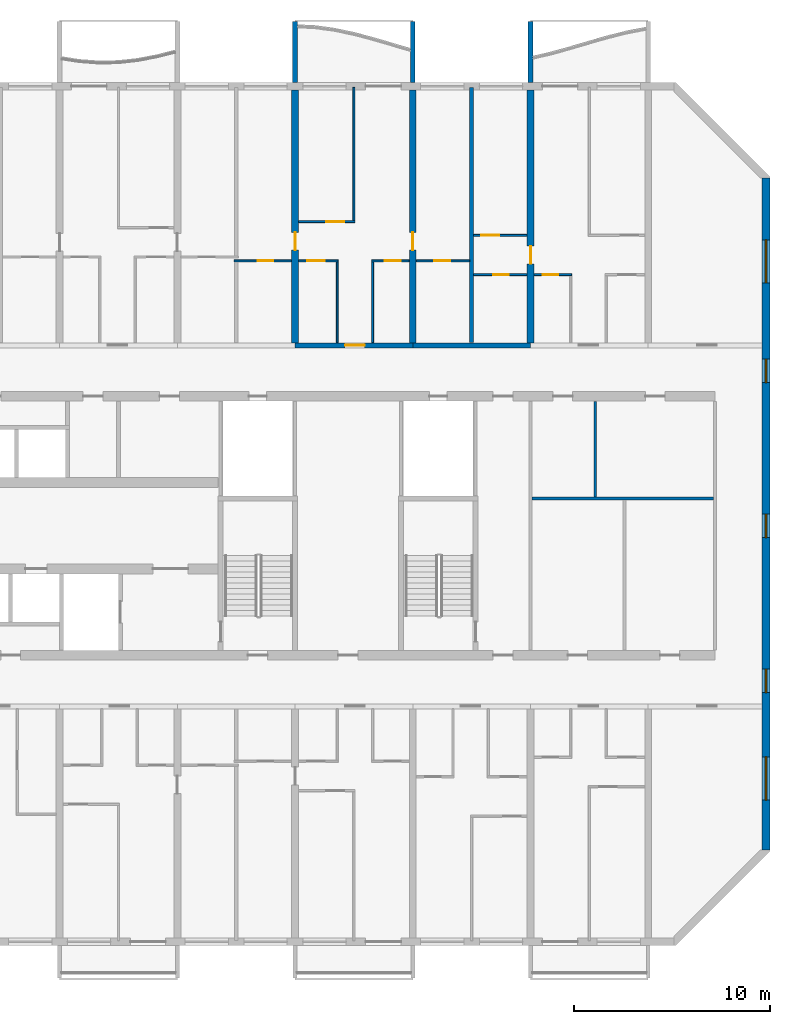
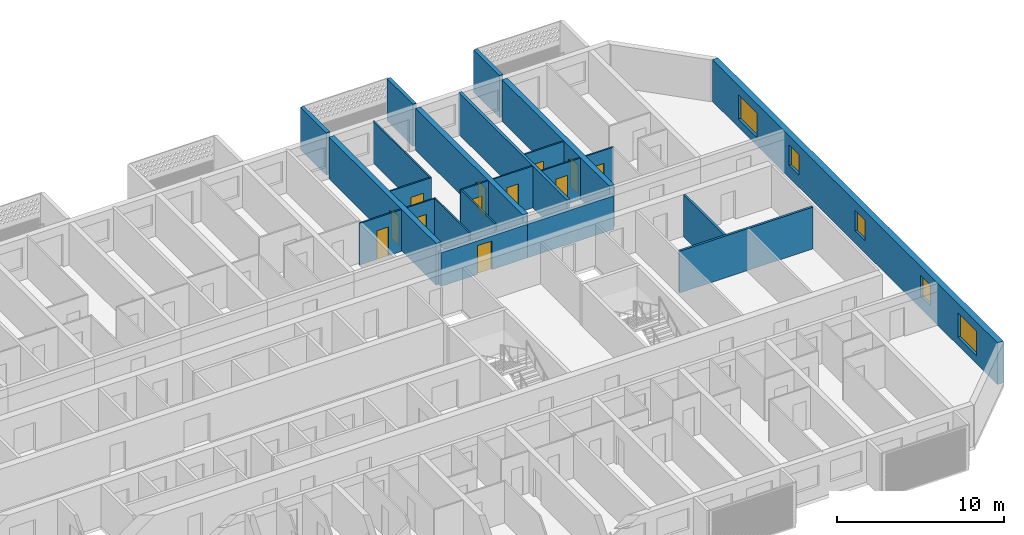
# One storey, part 15 of 29: 23 walls, 12 doors, 5 windows, 17 openings.
"""IFC4 building model written with IfcOpenShell, lengths in metres."""

from ifc_helpers import new_model, si_unit, direction, frame, frame_2d, origin, place, context, subcontext, project, spatial, polyline, rectangle, outline, extrude, source, transform, mapped, material, layer, layer_set, type_object, element, fill, save


model = new_model("IFC4")

# Units and contexts
model_context = context("Model", 3, precision=1e-05, world=origin(), true_north=direction((0.0, 1.0)))
body_context = subcontext(model_context, "Body", "Model", "MODEL_VIEW")
ifc_project = project(units=[si_unit("LENGTHUNIT", "METRE"), si_unit("AREAUNIT", "SQUARE_METRE"), si_unit("VOLUMEUNIT", "CUBIC_METRE"), si_unit("PLANEANGLEUNIT", "RADIAN"), si_unit("MASSUNIT", "GRAM", prefix="KILO")], contexts=[model_context])

# Site, building, storey
site_placement = place(None, origin())
site = spatial("IfcSite", under=ifc_project, at=site_placement, CompositionType="ELEMENT")
building_placement = place(site_placement, origin())
building = spatial("IfcBuilding", under=site, at=building_placement, Name="Poui Terraces", CompositionType="ELEMENT")
storey_placement = place(building_placement, frame((0.0, 0.0, 86.10009765625)))
storey = spatial("IfcBuildingStorey", under=building, at=storey_placement, Name="L23", CompositionType="ELEMENT", Elevation=86.10009765625)

# Wall, opening, door
ifc_material_1 = material(Name="Concrete 65 MPa", Category="concrete")
ifc_layer_1 = layer(ifc_material_1, 0.25)
ifc_layer_set_1 = layer_set([ifc_layer_1], Name="Concrete 65 MPa")
wall_type_1 = type_object("IfcWallType", Name="CORRIDOR WALL 250 65MPa", PredefinedType="SHEAR", material=ifc_layer_set_1)
wall_1_placement = place(storey_placement, frame((72.0, 30.39990234375, 0.0), z_axis=(0.0, 0.0, 1.0), x_axis=(1.0, 0.0, 0.0)))
wall_1 = element("IfcWall", 1, at=wall_1_placement, inside=storey, type_object=wall_type_1, Name="CORRIDOR WALL LINE E BAY 12", PredefinedType="SHEAR", context=body_context, shape_type="SweptSolid", body=[
    extrude(rectangle(XDim=6.0, YDim=0.25, at=frame_2d((3.0, 0.0))), origin(), (0.0, 0.0, 1.0), 2.4599609375),
])
opening_1_placement = place(wall_1_placement, frame((2.550048828125, 0.0, 0.0)))
opening_1 = element("IfcOpeningElement", 2, at=opening_1_placement, cuts=wall_1, Name="Opening FD30S", PredefinedType="OPENING", context=body_context, shape_type="SweptSolid", body=[
    extrude(rectangle(XDim=1.0, YDim=2.10009765625, at=frame_2d((0.5, 1.050048828125))), frame((0.0, 0.135009765625, 0.0), z_axis=(0.0, -1.0, 0.0), x_axis=(1.0, 0.0, 0.0)), (0.0, 0.0, 1.0), 0.27001953125),
])
ifc_material_2 = material(Name="Steel fire door", Category="steel")
door_type_1 = type_object("IfcDoorType", Name="FLAT ENTRANCE DOOR 1000 X 2100", OperationType="NOTDEFINED", PredefinedType="DOOR", material=ifc_material_2)
door_1_placement = place(opening_1_placement, origin())
door_1 = element("IfcDoor", 3, at=door_1_placement, inside=storey, type_object=door_type_1, Name="FLAT ENTRANCE DOOR 074", OperationType="SINGLE_SWING_RIGHT", OverallHeight=2.10009765625, OverallWidth=1.0, PredefinedType="DOOR", context=body_context, shape_type="SweptSolid", body=[
    extrude(rectangle(XDim=1.0, YDim=2.10009765625, at=frame_2d((0.5, 1.050048828125))), frame((0.0, 0.02490234375, 0.0), z_axis=(0.0, -1.0, 0.0), x_axis=(1.0, 0.0, 0.0)), (0.0, 0.0, 1.0), 0.050048828125),
])
fill(opening_1, door_1)

# Wall
wall_2_placement = place(storey_placement, frame((78.0, 30.39990234375, 0.0), z_axis=(0.0, 0.0, 1.0), x_axis=(1.0, 0.0, 0.0)))
element("IfcWall", 4, at=wall_2_placement, inside=storey, type_object=wall_type_1, Name="CORRIDOR WALL LINE E BAY 13", PredefinedType="SHEAR", context=body_context, shape_type="SweptSolid", body=[
    extrude(rectangle(XDim=6.0, YDim=0.25, at=frame_2d((3.0, 0.0))), origin(), (0.0, 0.0, 1.0), 2.4599609375),
])

# Wall, opening, door
ifc_layer_2 = layer(ifc_material_1, 0.35009765625)
ifc_layer_set_2 = layer_set([ifc_layer_2], Name="Concrete 65 MPa")
wall_type_2 = type_object("IfcWallType", Name="CROSS WALL 350 65MPa", PredefinedType="SHEAR", material=ifc_layer_set_2)
wall_3_placement = place(storey_placement, frame((72.0, 30.52490234375, 0.0), z_axis=(0.0, 0.0, 1.0), x_axis=(0.0, 1.0, 0.0)))
wall_3 = element("IfcWall", 5, at=wall_3_placement, inside=storey, type_object=wall_type_2, Name="CROSS WALL LINE 13 NORTH", PredefinedType="SHEAR", context=body_context, shape_type="SweptSolid", body=[
    extrude(rectangle(XDim=12.875, YDim=0.35009765625, at=frame_2d((6.4375, 0.0))), origin(), (0.0, 0.0, 1.0), 3.059814453125),
])
opening_2_placement = place(wall_3_placement, frame((4.72509765625, 0.0, 0.0)))
opening_2 = element("IfcOpeningElement", 6, at=opening_2_placement, cuts=wall_3, Name="Opening D90", PredefinedType="OPENING", context=body_context, shape_type="SweptSolid", body=[
    extrude(rectangle(XDim=0.89990234375, YDim=2.10009765625, at=frame_2d((0.449951171875, 1.050048828125))), frame((0.0, 0.18505859375, 0.0), z_axis=(0.0, -1.0, 0.0), x_axis=(1.0, 0.0, 0.0)), (0.0, 0.0, 1.0), 0.3701171875),
])
ifc_material_3 = material(Name="Solid core timber door", Category="wood")
door_type_2 = type_object("IfcDoorType", Name="INTERNAL DOOR 900 X 2100", OperationType="NOTDEFINED", PredefinedType="DOOR", material=ifc_material_3)
door_2_placement = place(opening_2_placement, origin())
door_2 = element("IfcDoor", 7, at=door_2_placement, inside=storey, type_object=door_type_2, Name="INTERNAL DOOR 071", OperationType="SINGLE_SWING_LEFT", OverallHeight=2.10009765625, OverallWidth=0.89990234375, PredefinedType="DOOR", context=body_context, shape_type="SweptSolid", body=[
    extrude(rectangle(XDim=0.89990234375, YDim=2.10009765625, at=frame_2d((0.449951171875, 1.050048828125))), frame((0.0, 0.02490234375, 0.0), z_axis=(0.0, -1.0, 0.0), x_axis=(1.0, 0.0, 0.0)), (0.0, 0.0, 1.0), 0.050048828125),
])
fill(opening_2, door_2)

wall_4_placement = place(storey_placement, frame((78.0, 30.52490234375, 0.0), z_axis=(0.0, 0.0, 1.0), x_axis=(0.0, 1.0, 0.0)))
wall_4 = element("IfcWall", 8, at=wall_4_placement, inside=storey, type_object=wall_type_2, Name="CROSS WALL LINE 14 NORTH", PredefinedType="SHEAR", context=body_context, shape_type="SweptSolid", body=[
    extrude(rectangle(XDim=12.875, YDim=0.35009765625, at=frame_2d((6.4375, 0.0))), origin(), (0.0, 0.0, 1.0), 3.059814453125),
])
opening_3_placement = place(wall_4_placement, frame((4.72509765625, 0.0, 0.0)))
opening_3 = element("IfcOpeningElement", 9, at=opening_3_placement, cuts=wall_4, Name="Opening D90", PredefinedType="OPENING", context=body_context, shape_type="SweptSolid", body=[
    extrude(rectangle(XDim=0.89990234375, YDim=2.10009765625, at=frame_2d((0.449951171875, 1.050048828125))), frame((0.0, 0.18505859375, 0.0), z_axis=(0.0, -1.0, 0.0), x_axis=(1.0, 0.0, 0.0)), (0.0, 0.0, 1.0), 0.3701171875),
])
door_3_placement = place(opening_3_placement, frame((0.89990234375, 0.0, 0.0), z_axis=(0.0, 0.0, 1.0), x_axis=(-1.0, 0.0, 0.0)))
door_3 = element("IfcDoor", 10, at=door_3_placement, inside=storey, type_object=door_type_2, Name="INTERNAL DOOR 076", OperationType="SINGLE_SWING_RIGHT", OverallHeight=2.10009765625, OverallWidth=0.89990234375, PredefinedType="DOOR", context=body_context, shape_type="SweptSolid", body=[
    extrude(rectangle(XDim=0.89990234375, YDim=2.10009765625, at=frame_2d((0.449951171875, 1.050048828125))), frame((0.0, 0.02490234375, 0.0), z_axis=(0.0, -1.0, 0.0), x_axis=(1.0, 0.0, 0.0)), (0.0, 0.0, 1.0), 0.050048828125),
])
fill(opening_3, door_3)

wall_5_placement = place(storey_placement, frame((84.0, 30.52490234375, 0.0), z_axis=(0.0, 0.0, 1.0), x_axis=(0.0, 1.0, 0.0)))
wall_5 = element("IfcWall", 11, at=wall_5_placement, inside=storey, type_object=wall_type_2, Name="CROSS WALL LINE 15 NORTH", PredefinedType="SHEAR", context=body_context, shape_type="SweptSolid", body=[
    extrude(rectangle(XDim=12.875, YDim=0.35009765625, at=frame_2d((6.4375, 0.0))), origin(), (0.0, 0.0, 1.0), 3.059814453125),
])
opening_4_placement = place(wall_5_placement, frame((4.02490234375, 0.0, 0.0)))
opening_4 = element("IfcOpeningElement", 12, at=opening_4_placement, cuts=wall_5, Name="Opening D90", PredefinedType="OPENING", context=body_context, shape_type="SweptSolid", body=[
    extrude(rectangle(XDim=0.89990234375, YDim=2.10009765625, at=frame_2d((0.449951171875, 1.050048828125))), frame((0.0, 0.18505859375, 0.0), z_axis=(0.0, -1.0, 0.0), x_axis=(1.0, 0.0, 0.0)), (0.0, 0.0, 1.0), 0.3701171875),
])
door_4_placement = place(opening_4_placement, frame((0.89990234375, 0.0, 0.0), z_axis=(0.0, 0.0, 1.0), x_axis=(-1.0, 0.0, 0.0)))
door_4 = element("IfcDoor", 13, at=door_4_placement, inside=storey, type_object=door_type_2, Name="INTERNAL DOOR 079", OperationType="SINGLE_SWING_RIGHT", OverallHeight=2.10009765625, OverallWidth=0.89990234375, PredefinedType="DOOR", context=body_context, shape_type="SweptSolid", body=[
    extrude(rectangle(XDim=0.89990234375, YDim=2.10009765625, at=frame_2d((0.449951171875, 1.050048828125))), frame((0.0, 0.02490234375, 0.0), z_axis=(0.0, -1.0, 0.0), x_axis=(1.0, 0.0, 0.0)), (0.0, 0.0, 1.0), 0.050048828125),
])
fill(opening_4, door_4)

# Wall, openings, windows
ifc_layer_3 = layer(ifc_material_1, 0.39990234375)
ifc_layer_set_3 = layer_set([ifc_layer_3], Name="Concrete 65 MPa")
wall_type_3 = type_object("IfcWallType", Name="END WALL 400 65MPa", PredefinedType="SHEAR", material=ifc_layer_set_3)
wall_6_placement = place(storey_placement, frame((96.0, 4.682861328125, 0.0), z_axis=(0.0, 0.0, 1.0), x_axis=(0.0, 1.0, 0.0)))
wall_6 = element("IfcWall", 14, at=wall_6_placement, inside=storey, type_object=wall_type_3, Name="END WALL EAST", PredefinedType="SHEAR", context=body_context, shape_type="SweptSolid", body=[
    extrude(rectangle(XDim=34.234375, YDim=0.39990234375, at=frame_2d((17.1171875, 0.0))), origin(), (0.0, 0.0, 1.0), 3.059814453125),
])
opening_5_placement = place(wall_6_placement, frame((15.917236328125, 0.0, 0.89990234375)))
opening_5 = element("IfcOpeningElement", 15, at=opening_5_placement, cuts=wall_6, Name="Opening W2", PredefinedType="OPENING", context=body_context, shape_type="SweptSolid", body=[
    extrude(rectangle(XDim=1.199951171875, YDim=1.5, at=frame_2d((0.60009765625, 0.75))), frame((0.0, 0.2099609375, 0.0), z_axis=(0.0, -1.0, 0.0), x_axis=(1.0, 0.0, 0.0)), (0.0, 0.0, 1.0), 0.419921875),
])
opening_6_placement = place(wall_6_placement, frame((23.817138671875, 0.0, 0.89990234375)))
opening_6 = element("IfcOpeningElement", 16, at=opening_6_placement, cuts=wall_6, Name="Opening W2", PredefinedType="OPENING", context=body_context, shape_type="SweptSolid", body=[
    extrude(rectangle(XDim=1.199951171875, YDim=1.5, at=frame_2d((0.60009765625, 0.75))), frame((0.0, 0.2099609375, 0.0), z_axis=(0.0, -1.0, 0.0), x_axis=(1.0, 0.0, 0.0)), (0.0, 0.0, 1.0), 0.419921875),
])
opening_7_placement = place(wall_6_placement, frame((8.01708984375, 0.0, 0.89990234375)))
opening_7 = element("IfcOpeningElement", 17, at=opening_7_placement, cuts=wall_6, Name="Opening W2", PredefinedType="OPENING", context=body_context, shape_type="SweptSolid", body=[
    extrude(rectangle(XDim=1.199951171875, YDim=1.5, at=frame_2d((0.60009765625, 0.75))), frame((0.0, 0.2099609375, 0.0), z_axis=(0.0, -1.0, 0.0), x_axis=(1.0, 0.0, 0.0)), (0.0, 0.0, 1.0), 0.419921875),
])
opening_8_placement = place(wall_6_placement, frame((28.8935546875, 0.0, 0.60009765625)))
opening_8 = element("IfcOpeningElement", 18, at=opening_8_placement, cuts=wall_6, Name="Opening W3", PredefinedType="OPENING", context=body_context, shape_type="SweptSolid", body=[
    extrude(rectangle(XDim=2.199951171875, YDim=1.800048828125, at=frame_2d((1.10009765625, 0.89990234375))), frame((0.0, 0.2099609375, 0.0), z_axis=(0.0, -1.0, 0.0), x_axis=(1.0, 0.0, 0.0)), (0.0, 0.0, 1.0), 0.419921875),
])
opening_9_placement = place(wall_6_placement, frame((2.541015625, 0.0, 0.60009765625)))
opening_9 = element("IfcOpeningElement", 19, at=opening_9_placement, cuts=wall_6, Name="Opening W3", PredefinedType="OPENING", context=body_context, shape_type="SweptSolid", body=[
    extrude(rectangle(XDim=2.199951171875, YDim=1.800048828125, at=frame_2d((1.10009765625, 0.89990234375))), frame((0.0, 0.2099609375, 0.0), z_axis=(0.0, -1.0, 0.0), x_axis=(1.0, 0.0, 0.0)), (0.0, 0.0, 1.0), 0.419921875),
])
ifc_material_4 = material(Name="Clear glass in aluminium frame", Category="aluminium")
window_type_1 = type_object("IfcWindowType", Name="WINDOW 1200X1500", PartitioningType="SINGLE_PANEL", PredefinedType="WINDOW", material=ifc_material_4)
window_1_placement = place(opening_5_placement, origin())
window_1 = element("IfcWindow", 20, at=window_1_placement, inside=storey, type_object=window_type_1, Name="W2 WINDOW", OverallHeight=1.5, OverallWidth=1.199951171875, PartitioningType="SINGLE_PANEL", PredefinedType="WINDOW", context=body_context, shape_type="SweptSolid", body=[
    extrude(rectangle(XDim=1.199951171875, YDim=1.5, at=frame_2d((0.60009765625, 0.75))), frame((0.0, 0.030029296875, 0.0), z_axis=(0.0, -1.0, 0.0), x_axis=(1.0, 0.0, 0.0)), (0.0, 0.0, 1.0), 0.06005859375),
])
fill(opening_5, window_1)
window_2_placement = place(opening_6_placement, origin())
window_2 = element("IfcWindow", 21, at=window_2_placement, inside=storey, type_object=window_type_1, Name="W2 WINDOW", OverallHeight=1.5, OverallWidth=1.199951171875, PartitioningType="SINGLE_PANEL", PredefinedType="WINDOW", context=body_context, shape_type="SweptSolid", body=[
    extrude(rectangle(XDim=1.199951171875, YDim=1.5, at=frame_2d((0.60009765625, 0.75))), frame((0.0, 0.030029296875, 0.0), z_axis=(0.0, -1.0, 0.0), x_axis=(1.0, 0.0, 0.0)), (0.0, 0.0, 1.0), 0.06005859375),
])
fill(opening_6, window_2)
window_3_placement = place(opening_7_placement, origin())
window_3 = element("IfcWindow", 22, at=window_3_placement, inside=storey, type_object=window_type_1, Name="W2 WINDOW", OverallHeight=1.5, OverallWidth=1.199951171875, PartitioningType="SINGLE_PANEL", PredefinedType="WINDOW", context=body_context, shape_type="SweptSolid", body=[
    extrude(rectangle(XDim=1.199951171875, YDim=1.5, at=frame_2d((0.60009765625, 0.75))), frame((0.0, 0.030029296875, 0.0), z_axis=(0.0, -1.0, 0.0), x_axis=(1.0, 0.0, 0.0)), (0.0, 0.0, 1.0), 0.06005859375),
])
fill(opening_7, window_3)
window_type_2 = type_object("IfcWindowType", Name="WINDOW 2200X1800", PartitioningType="DOUBLE_PANEL_HORIZONTAL", PredefinedType="WINDOW", material=ifc_material_4)
window_4_placement = place(opening_8_placement, origin())
window_4 = element("IfcWindow", 23, at=window_4_placement, inside=storey, type_object=window_type_2, Name="W3 WINDOW", OverallHeight=1.800048828125, OverallWidth=2.199951171875, PartitioningType="DOUBLE_PANEL_HORIZONTAL", PredefinedType="WINDOW", context=body_context, shape_type="SweptSolid", body=[
    extrude(rectangle(XDim=2.199951171875, YDim=1.800048828125, at=frame_2d((1.10009765625, 0.89990234375))), frame((0.0, 0.030029296875, 0.0), z_axis=(0.0, -1.0, 0.0), x_axis=(1.0, 0.0, 0.0)), (0.0, 0.0, 1.0), 0.06005859375),
])
fill(opening_8, window_4)
window_5_placement = place(opening_9_placement, origin())
window_5 = element("IfcWindow", 24, at=window_5_placement, inside=storey, type_object=window_type_2, Name="W3 WINDOW", OverallHeight=1.800048828125, OverallWidth=2.199951171875, PartitioningType="DOUBLE_PANEL_HORIZONTAL", PredefinedType="WINDOW", context=body_context, shape_type="SweptSolid", body=[
    extrude(rectangle(XDim=2.199951171875, YDim=1.800048828125, at=frame_2d((1.10009765625, 0.89990234375))), frame((0.0, 0.030029296875, 0.0), z_axis=(0.0, -1.0, 0.0), x_axis=(1.0, 0.0, 0.0)), (0.0, 0.0, 1.0), 0.06005859375),
])
fill(opening_9, window_5)

# Wall, opening, door
ifc_material_5 = material(Name="Plasterboard partition")
ifc_layer_4 = layer(ifc_material_5, 0.10009765625)
ifc_layer_set_4 = layer_set([ifc_layer_4], Name="Plasterboard partition")
wall_type_4 = type_object("IfcWallType", Name="FLAT PARTITION 100", PredefinedType="PARTITIONING", material=ifc_layer_set_4)
wall_7_placement = place(storey_placement, frame((81.10009765625, 34.0, 0.0), z_axis=(0.0, 0.0, 1.0), x_axis=(1.0, 0.0, 0.0)))
wall_7 = element("IfcWall", 25, at=wall_7_placement, inside=storey, type_object=wall_type_4, Name="FLAT PARTITION 100", PredefinedType="PARTITIONING", context=body_context, shape_type="SweptSolid", body=[
    extrude(rectangle(XDim=2.71484375, YDim=0.10009765625, at=frame_2d((1.357421875, 0.0))), origin(), (0.0, 0.0, 1.0), 3.059814453125),
])
opening_10_placement = place(wall_7_placement, frame((1.0, 0.0, 0.0)))
opening_10 = element("IfcOpeningElement", 26, at=opening_10_placement, cuts=wall_7, Name="Opening D80", PredefinedType="OPENING", context=body_context, shape_type="SweptSolid", body=[
    extrude(rectangle(XDim=0.800048828125, YDim=2.10009765625, at=frame_2d((0.39990234375, 1.050048828125))), frame((0.0, 0.06005859375, 0.0), z_axis=(0.0, -1.0, 0.0), x_axis=(1.0, 0.0, 0.0)), (0.0, 0.0, 1.0), 0.1201171875),
])
door_type_3 = type_object("IfcDoorType", Name="BATHROOM, LAUNDRY AND STORE DOOR 800 X 2100", OperationType="NOTDEFINED", PredefinedType="DOOR", material=ifc_material_3)
door_5_placement = place(opening_10_placement, frame((0.800048828125, 0.0, 0.0), z_axis=(0.0, 0.0, 1.0), x_axis=(-1.0, 0.0, 0.0)))
door_5 = element("IfcDoor", 27, at=door_5_placement, inside=storey, type_object=door_type_3, Name="BATHROOM, LAUNDRY AND STORE DOOR 078", OperationType="SINGLE_SWING_LEFT", OverallHeight=2.10009765625, OverallWidth=0.800048828125, PredefinedType="DOOR", context=body_context, shape_type="SweptSolid", body=[
    extrude(rectangle(XDim=0.800048828125, YDim=2.10009765625, at=frame_2d((0.39990234375, 1.050048828125))), frame((0.0, 0.02490234375, 0.0), z_axis=(0.0, -1.0, 0.0), x_axis=(1.0, 0.0, 0.0)), (0.0, 0.0, 1.0), 0.050048828125),
])
fill(opening_10, door_5)

wall_8_placement = place(storey_placement, frame((84.18505859375, 34.0, 0.0), z_axis=(0.0, 0.0, 1.0), x_axis=(1.0, 0.0, 0.0)))
wall_8 = element("IfcWall", 28, at=wall_8_placement, inside=storey, type_object=wall_type_4, Name="FLAT PARTITION 100", PredefinedType="PARTITIONING", context=body_context, shape_type="SweptSolid", body=[
    extrude(rectangle(XDim=1.9150390625, YDim=0.10009765625, at=frame_2d((0.95751953125, 0.0))), origin(), (0.0, 0.0, 1.0), 3.059814453125),
])
opening_11_placement = place(wall_8_placement, frame((0.43994140625, 0.0, 0.0)))
opening_11 = element("IfcOpeningElement", 29, at=opening_11_placement, cuts=wall_8, Name="Opening D80", PredefinedType="OPENING", context=body_context, shape_type="SweptSolid", body=[
    extrude(rectangle(XDim=0.800048828125, YDim=2.10009765625, at=frame_2d((0.39990234375, 1.050048828125))), frame((0.0, 0.06005859375, 0.0), z_axis=(0.0, -1.0, 0.0), x_axis=(1.0, 0.0, 0.0)), (0.0, 0.0, 1.0), 0.1201171875),
])
door_6_placement = place(opening_11_placement, frame((0.800048828125, 0.0, 0.0), z_axis=(0.0, 0.0, 1.0), x_axis=(-1.0, 0.0, 0.0)))
door_6 = element("IfcDoor", 30, at=door_6_placement, inside=storey, type_object=door_type_3, Name="BATHROOM, LAUNDRY AND STORE DOOR 080", OperationType="SINGLE_SWING_RIGHT", OverallHeight=2.10009765625, OverallWidth=0.800048828125, PredefinedType="DOOR", context=body_context, shape_type="SweptSolid", body=[
    extrude(rectangle(XDim=0.800048828125, YDim=2.10009765625, at=frame_2d((0.39990234375, 1.050048828125))), frame((0.0, 0.02490234375, 0.0), z_axis=(0.0, -1.0, 0.0), x_axis=(1.0, 0.0, 0.0)), (0.0, 0.0, 1.0), 0.050048828125),
])
fill(opening_11, door_6)

wall_9_placement = place(storey_placement, frame((68.89990234375, 34.699951171875, 0.0), z_axis=(0.0, 0.0, 1.0), x_axis=(1.0, 0.0, 0.0)))
wall_9 = element("IfcWall", 31, at=wall_9_placement, inside=storey, type_object=wall_type_4, Name="FLAT PARTITION 100", PredefinedType="PARTITIONING", context=body_context, shape_type="SweptSolid", body=[
    extrude(rectangle(XDim=2.9150390625, YDim=0.10009765625, at=frame_2d((1.45751953125, 0.0))), origin(), (0.0, 0.0, 1.0), 3.059814453125),
])
opening_12_placement = place(wall_9_placement, frame((1.199951171875, 0.0, 0.0)))
opening_12 = element("IfcOpeningElement", 32, at=opening_12_placement, cuts=wall_9, Name="Opening D80", PredefinedType="OPENING", context=body_context, shape_type="SweptSolid", body=[
    extrude(rectangle(XDim=0.800048828125, YDim=2.10009765625, at=frame_2d((0.39990234375, 1.050048828125))), frame((0.0, 0.06005859375, 0.0), z_axis=(0.0, -1.0, 0.0), x_axis=(1.0, 0.0, 0.0)), (0.0, 0.0, 1.0), 0.1201171875),
])
door_7_placement = place(opening_12_placement, frame((0.800048828125, 0.0, 0.0), z_axis=(0.0, 0.0, 1.0), x_axis=(-1.0, 0.0, 0.0)))
door_7 = element("IfcDoor", 33, at=door_7_placement, inside=storey, type_object=door_type_3, Name="BATHROOM, LAUNDRY AND STORE DOOR 069", OperationType="SINGLE_SWING_LEFT", OverallHeight=2.10009765625, OverallWidth=0.800048828125, PredefinedType="DOOR", context=body_context, shape_type="SweptSolid", body=[
    extrude(rectangle(XDim=0.800048828125, YDim=2.10009765625, at=frame_2d((0.39990234375, 1.050048828125))), frame((0.0, 0.02490234375, 0.0), z_axis=(0.0, -1.0, 0.0), x_axis=(1.0, 0.0, 0.0)), (0.0, 0.0, 1.0), 0.050048828125),
])
fill(opening_12, door_7)

wall_10_placement = place(storey_placement, frame((72.18505859375, 34.699951171875, 0.0), z_axis=(0.0, 0.0, 1.0), x_axis=(1.0, 0.0, 0.0)))
wall_10 = element("IfcWall", 34, at=wall_10_placement, inside=storey, type_object=wall_type_4, Name="FLAT PARTITION 100", PredefinedType="PARTITIONING", context=body_context, shape_type="SweptSolid", body=[
    extrude(rectangle(XDim=2.014892578125, YDim=0.10009765625, at=frame_2d((1.00732421875, 0.0))), origin(), (0.0, 0.0, 1.0), 3.059814453125),
])
opening_13_placement = place(wall_10_placement, frame((0.43994140625, 0.0, 0.0)))
opening_13 = element("IfcOpeningElement", 35, at=opening_13_placement, cuts=wall_10, Name="Opening D90", PredefinedType="OPENING", context=body_context, shape_type="SweptSolid", body=[
    extrude(rectangle(XDim=0.89990234375, YDim=2.10009765625, at=frame_2d((0.449951171875, 1.050048828125))), frame((0.0, 0.06005859375, 0.0), z_axis=(0.0, -1.0, 0.0), x_axis=(1.0, 0.0, 0.0)), (0.0, 0.0, 1.0), 0.1201171875),
])
door_8_placement = place(opening_13_placement, frame((0.89990234375, 0.0, 0.0), z_axis=(0.0, 0.0, 1.0), x_axis=(-1.0, 0.0, 0.0)))
door_8 = element("IfcDoor", 36, at=door_8_placement, inside=storey, type_object=door_type_2, Name="INTERNAL DOOR 072", OperationType="SINGLE_SWING_LEFT", OverallHeight=2.10009765625, OverallWidth=0.89990234375, PredefinedType="DOOR", context=body_context, shape_type="SweptSolid", body=[
    extrude(rectangle(XDim=0.89990234375, YDim=2.10009765625, at=frame_2d((0.449951171875, 1.050048828125))), frame((0.0, 0.02490234375, 0.0), z_axis=(0.0, -1.0, 0.0), x_axis=(1.0, 0.0, 0.0)), (0.0, 0.0, 1.0), 0.050048828125),
])
fill(opening_13, door_8)

wall_11_placement = place(storey_placement, frame((75.89990234375, 34.699951171875, 0.0), z_axis=(0.0, 0.0, 1.0), x_axis=(1.0, 0.0, 0.0)))
wall_11 = element("IfcWall", 37, at=wall_11_placement, inside=storey, type_object=wall_type_4, Name="FLAT PARTITION 100", PredefinedType="PARTITIONING", context=body_context, shape_type="SweptSolid", body=[
    extrude(rectangle(XDim=1.9150390625, YDim=0.10009765625, at=frame_2d((0.95751953125, 0.0))), origin(), (0.0, 0.0, 1.0), 3.059814453125),
])
opening_14_placement = place(wall_11_placement, frame((0.675048828125, 0.0, 0.0)))
opening_14 = element("IfcOpeningElement", 38, at=opening_14_placement, cuts=wall_11, Name="Opening D80", PredefinedType="OPENING", context=body_context, shape_type="SweptSolid", body=[
    extrude(rectangle(XDim=0.800048828125, YDim=2.10009765625, at=frame_2d((0.39990234375, 1.050048828125))), frame((0.0, 0.06005859375, 0.0), z_axis=(0.0, -1.0, 0.0), x_axis=(1.0, 0.0, 0.0)), (0.0, 0.0, 1.0), 0.1201171875),
])
door_9_placement = place(opening_14_placement, frame((0.800048828125, 0.0, 0.0), z_axis=(0.0, 0.0, 1.0), x_axis=(-1.0, 0.0, 0.0)))
door_9 = element("IfcDoor", 39, at=door_9_placement, inside=storey, type_object=door_type_3, Name="BATHROOM, LAUNDRY AND STORE DOOR 075", OperationType="SINGLE_SWING_RIGHT", OverallHeight=2.10009765625, OverallWidth=0.800048828125, PredefinedType="DOOR", context=body_context, shape_type="SweptSolid", body=[
    extrude(rectangle(XDim=0.800048828125, YDim=2.10009765625, at=frame_2d((0.39990234375, 1.050048828125))), frame((0.0, 0.02490234375, 0.0), z_axis=(0.0, -1.0, 0.0), x_axis=(1.0, 0.0, 0.0)), (0.0, 0.0, 1.0), 0.050048828125),
])
fill(opening_14, door_9)

wall_12_placement = place(storey_placement, frame((78.18505859375, 34.699951171875, 0.0), z_axis=(0.0, 0.0, 1.0), x_axis=(1.0, 0.0, 0.0)))
wall_12 = element("IfcWall", 40, at=wall_12_placement, inside=storey, type_object=wall_type_4, Name="FLAT PARTITION 100", PredefinedType="PARTITIONING", context=body_context, shape_type="SweptSolid", body=[
    extrude(rectangle(XDim=2.71484375, YDim=0.10009765625, at=frame_2d((1.357421875, 0.0))), origin(), (0.0, 0.0, 1.0), 3.059814453125),
])
opening_15_placement = place(wall_12_placement, frame((0.9150390625, 0.0, 0.0)))
opening_15 = element("IfcOpeningElement", 41, at=opening_15_placement, cuts=wall_12, Name="Opening D80", PredefinedType="OPENING", context=body_context, shape_type="SweptSolid", body=[
    extrude(rectangle(XDim=0.800048828125, YDim=2.10009765625, at=frame_2d((0.39990234375, 1.050048828125))), frame((0.0, 0.06005859375, 0.0), z_axis=(0.0, -1.0, 0.0), x_axis=(1.0, 0.0, 0.0)), (0.0, 0.0, 1.0), 0.1201171875),
])
door_10_placement = place(opening_15_placement, frame((0.800048828125, 0.0, 0.0), z_axis=(0.0, 0.0, 1.0), x_axis=(-1.0, 0.0, 0.0)))
door_10 = element("IfcDoor", 42, at=door_10_placement, inside=storey, type_object=door_type_3, Name="BATHROOM, LAUNDRY AND STORE DOOR 070", OperationType="SINGLE_SWING_LEFT", OverallHeight=2.10009765625, OverallWidth=0.800048828125, PredefinedType="DOOR", context=body_context, shape_type="SweptSolid", body=[
    extrude(rectangle(XDim=0.800048828125, YDim=2.10009765625, at=frame_2d((0.39990234375, 1.050048828125))), frame((0.0, 0.02490234375, 0.0), z_axis=(0.0, -1.0, 0.0), x_axis=(1.0, 0.0, 0.0)), (0.0, 0.0, 1.0), 0.050048828125),
])
fill(opening_15, door_10)

wall_13_placement = place(storey_placement, frame((81.10009765625, 36.0, 0.0), z_axis=(0.0, 0.0, 1.0), x_axis=(1.0, 0.0, 0.0)))
wall_13 = element("IfcWall", 43, at=wall_13_placement, inside=storey, type_object=wall_type_4, Name="FLAT PARTITION 100", PredefinedType="PARTITIONING", context=body_context, shape_type="SweptSolid", body=[
    extrude(rectangle(XDim=2.71484375, YDim=0.10009765625, at=frame_2d((1.357421875, 0.0))), origin(), (0.0, 0.0, 1.0), 3.059814453125),
])
opening_16_placement = place(wall_13_placement, frame((0.39990234375, 0.0, 0.0)))
opening_16 = element("IfcOpeningElement", 44, at=opening_16_placement, cuts=wall_13, Name="Opening D90", PredefinedType="OPENING", context=body_context, shape_type="SweptSolid", body=[
    extrude(rectangle(XDim=0.89990234375, YDim=2.10009765625, at=frame_2d((0.449951171875, 1.050048828125))), frame((0.0, 0.06005859375, 0.0), z_axis=(0.0, -1.0, 0.0), x_axis=(1.0, 0.0, 0.0)), (0.0, 0.0, 1.0), 0.1201171875),
])
door_11_placement = place(opening_16_placement, origin())
door_11 = element("IfcDoor", 45, at=door_11_placement, inside=storey, type_object=door_type_2, Name="INTERNAL DOOR 077", OperationType="SINGLE_SWING_LEFT", OverallHeight=2.10009765625, OverallWidth=0.89990234375, PredefinedType="DOOR", context=body_context, shape_type="SweptSolid", body=[
    extrude(rectangle(XDim=0.89990234375, YDim=2.10009765625, at=frame_2d((0.449951171875, 1.050048828125))), frame((0.0, 0.02490234375, 0.0), z_axis=(0.0, -1.0, 0.0), x_axis=(1.0, 0.0, 0.0)), (0.0, 0.0, 1.0), 0.050048828125),
])
fill(opening_16, door_11)

wall_14_placement = place(storey_placement, frame((72.18505859375, 36.699951171875, 0.0), z_axis=(0.0, 0.0, 1.0), x_axis=(1.0, 0.0, 0.0)))
wall_14 = element("IfcWall", 46, at=wall_14_placement, inside=storey, type_object=wall_type_4, Name="FLAT PARTITION 100", PredefinedType="PARTITIONING", context=body_context, shape_type="SweptSolid", body=[
    extrude(rectangle(XDim=2.864990234375, YDim=0.10009765625, at=frame_2d((1.4326171875, 0.0))), origin(), (0.0, 0.0, 1.0), 3.059814453125),
])
opening_17_placement = place(wall_14_placement, frame((1.4150390625, 0.0, 0.0)))
opening_17 = element("IfcOpeningElement", 47, at=opening_17_placement, cuts=wall_14, Name="Opening D90", PredefinedType="OPENING", context=body_context, shape_type="SweptSolid", body=[
    extrude(rectangle(XDim=0.89990234375, YDim=2.10009765625, at=frame_2d((0.449951171875, 1.050048828125))), frame((0.0, 0.06005859375, 0.0), z_axis=(0.0, -1.0, 0.0), x_axis=(1.0, 0.0, 0.0)), (0.0, 0.0, 1.0), 0.1201171875),
])
door_12_placement = place(opening_17_placement, frame((0.89990234375, 0.0, 0.0), z_axis=(0.0, 0.0, 1.0), x_axis=(-1.0, 0.0, 0.0)))
door_12 = element("IfcDoor", 48, at=door_12_placement, inside=storey, type_object=door_type_2, Name="INTERNAL DOOR 073", OperationType="SINGLE_SWING_RIGHT", OverallHeight=2.10009765625, OverallWidth=0.89990234375, PredefinedType="DOOR", context=body_context, shape_type="SweptSolid", body=[
    extrude(rectangle(XDim=0.89990234375, YDim=2.10009765625, at=frame_2d((0.449951171875, 1.050048828125))), frame((0.0, 0.02490234375, 0.0), z_axis=(0.0, -1.0, 0.0), x_axis=(1.0, 0.0, 0.0)), (0.0, 0.0, 1.0), 0.050048828125),
])
fill(opening_17, door_12)

# Walls
wall_15_placement = place(storey_placement, frame((74.14990234375, 30.534912109375, 0.0), z_axis=(0.0, 0.0, 1.0), x_axis=(0.0, 1.0, 0.0)))
element("IfcWall", 49, at=wall_15_placement, inside=storey, type_object=wall_type_4, Name="FLAT PARTITION 100", PredefinedType="PARTITIONING", context=body_context, shape_type="SweptSolid", body=[
    extrude(rectangle(XDim=4.114990234375, YDim=0.10009765625, at=frame_2d((2.0576171875, 0.0))), origin(), (0.0, 0.0, 1.0), 3.059814453125),
])
wall_16_placement = place(storey_placement, frame((75.0, 36.75, 0.0), z_axis=(0.0, 0.0, 1.0), x_axis=(0.0, 1.0, 0.0)))
element("IfcWall", 50, at=wall_16_placement, inside=storey, type_object=wall_type_4, Name="FLAT PARTITION 100", PredefinedType="PARTITIONING", context=body_context, shape_type="SweptSolid", body=[
    extrude(rectangle(XDim=6.7900390625, YDim=0.10009765625, at=frame_2d((3.39501953125, 0.0))), origin(), (0.0, 0.0, 1.0), 3.059814453125),
])
wall_17_placement = place(storey_placement, frame((75.949951171875, 30.534912109375, 0.0), z_axis=(0.0, 0.0, 1.0), x_axis=(0.0, 1.0, 0.0)))
element("IfcWall", 51, at=wall_17_placement, inside=storey, type_object=wall_type_4, Name="FLAT PARTITION 100", PredefinedType="PARTITIONING", context=body_context, shape_type="SweptSolid", body=[
    extrude(rectangle(XDim=4.114990234375, YDim=0.10009765625, at=frame_2d((2.0576171875, 0.0))), origin(), (0.0, 0.0, 1.0), 3.059814453125),
])
ifc_material_6 = material(Name="Fire-rated masonry wall", Category="masonry")
ifc_layer_5 = layer(ifc_material_6, 0.199951171875)
ifc_layer_set_5 = layer_set([ifc_layer_5], Name="Fire-rated masonry wall")
wall_type_5 = type_object("IfcWallType", Name="FLAT PARTY WALL 200", PredefinedType="PARTITIONING", material=ifc_layer_set_5)
wall_18_placement = place(storey_placement, frame((81.0, 30.534912109375, 0.0), z_axis=(0.0, 0.0, 1.0), x_axis=(0.0, 1.0, 0.0)))
element("IfcWall", 52, at=wall_18_placement, inside=storey, type_object=wall_type_5, Name="FLAT PARTY WALL 200", PredefinedType="PARTITIONING", context=body_context, shape_type="SweptSolid", body=[
    extrude(rectangle(XDim=13.005126953125, YDim=0.199951171875, at=frame_2d((6.50244140625, 0.0))), origin(), (0.0, 0.0, 1.0), 3.059814453125),
])
ifc_layer_6 = layer(ifc_material_5, 0.14990234375)
ifc_layer_set_6 = layer_set([ifc_layer_6], Name="Plasterboard partition")
wall_type_6 = type_object("IfcWallType", Name="PARTITION WALL 150", PredefinedType="PARTITIONING", material=ifc_layer_set_6)
wall_19_placement = place(storey_placement, frame((84.074951171875, 22.60009765625, 0.0), z_axis=(0.0, 0.0, 1.0), x_axis=(1.0, 0.0, 0.0)))
element("IfcWall", 53, at=wall_19_placement, inside=storey, type_object=wall_type_6, Name="PARTITION WALL 150", PredefinedType="PARTITIONING", context=body_context, shape_type="SweptSolid", body=[
    extrude(rectangle(XDim=9.25, YDim=0.14990234375, at=frame_2d((4.625, 0.0))), origin(), (0.0, 0.0, 1.0), 3.059814453125),
])
wall_20_placement = place(storey_placement, frame((87.300048828125, 22.675048828125, 0.0), z_axis=(0.0, 0.0, 1.0), x_axis=(0.0, 1.0, 0.0)))
element("IfcWall", 54, at=wall_20_placement, inside=storey, type_object=wall_type_6, Name="PARTITION WALL 150", PredefinedType="PARTITIONING", context=body_context, shape_type="SweptSolid", body=[
    extrude(rectangle(XDim=4.864990234375, YDim=0.14990234375, at=frame_2d((2.4326171875, 0.0))), origin(), (0.0, 0.0, 1.0), 3.059814453125),
])
ifc_material_7 = material(Name="Precast concrete 40 MPa", Category="concrete")
ifc_layer_7 = layer(ifc_material_7, 0.25)
ifc_layer_set_7 = layer_set([ifc_layer_7], Name="Precast concrete 40 MPa")
wall_type_7 = type_object("IfcWallType", Name="BALCONY FIN 250", PredefinedType="STANDARD", material=ifc_layer_set_7)
shared_shape = source(origin(), body_context, "Body", "SweptSolid", [
    extrude(outline(polyline([(0.0, 0.0), (0.25, 0.0), (0.25, 3.099853515625), (0.0, 3.099853515625), (0.0, 0.0)])), origin(), (0.0, 0.0, 1.0), 3.099853515625),
])
for number, where, name in (
    (55, (71.875, 43.800048828125, 0.0), "BALCONY FIN"),
    (56, (77.875, 43.800048828125, 0.0), "BALCONY FIN"),
    (57, (83.875, 43.800048828125, 0.0), "BALCONY FIN"),
):
    element("IfcWall", number, at=place(storey_placement, frame(where)), inside=storey, type_object=wall_type_7, Name=name, PredefinedType="STANDARD", context=body_context, shape_type="MappedRepresentation", body=[
        mapped(shared_shape, transform((0.0, 0.0, 0.0))),
    ])

save(model, "model.ifc")
